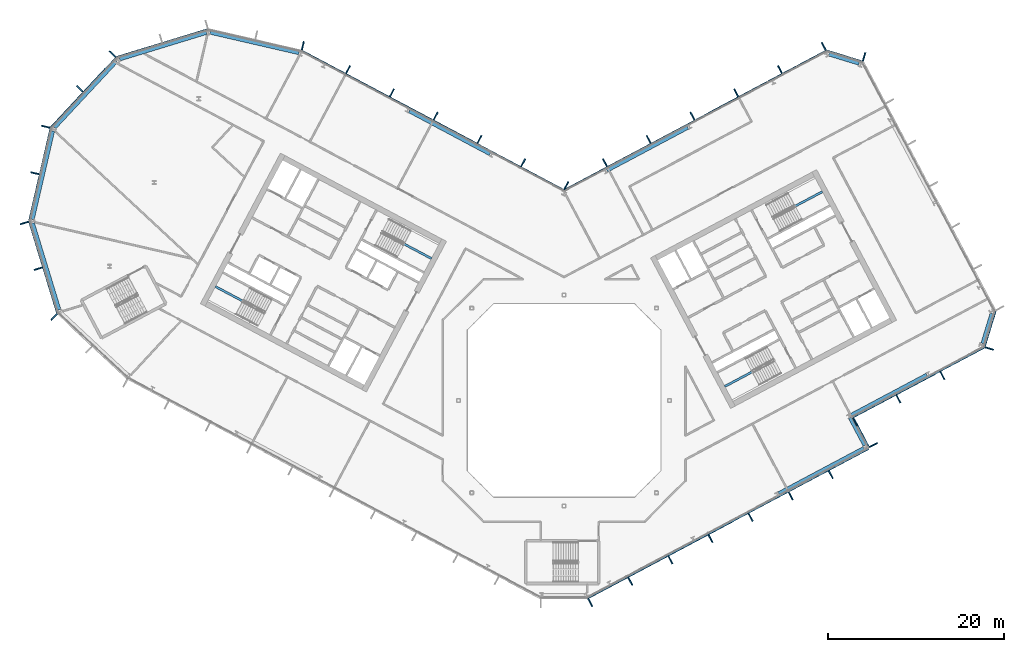
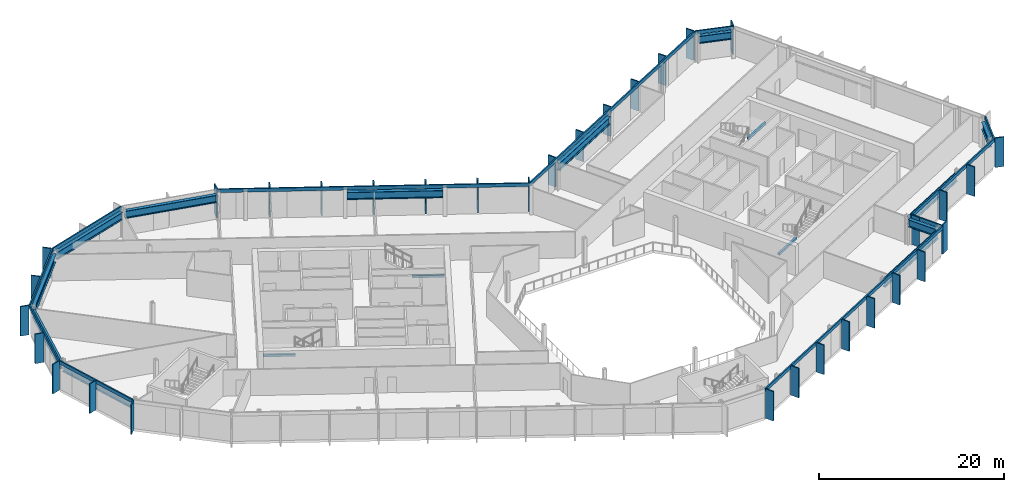
# One storey, part 9 of 26: 44 members, 16 beams, 13 elements without a shape of their own.
"""IFC4 building model written with IfcOpenShell, lengths in metres."""

from ifc_helpers import new_model, si_unit, direction, frame, origin, origin_2d, place, context, subcontext, project, spatial, rectangle, i_section, extrude, material, layer, layer_set, material_profile, profile_set, type_object, element, aggregate, save


model = new_model("IFC4")

# Units and contexts
model_context = context("Model", 3, precision=1e-05, world=origin(), true_north=direction((0.0, 1.0)))
body_context = subcontext(model_context, "Body", "Model", "MODEL_VIEW")
ifc_project = project(units=[si_unit("LENGTHUNIT", "METRE"), si_unit("AREAUNIT", "SQUARE_METRE"), si_unit("VOLUMEUNIT", "CUBIC_METRE"), si_unit("PLANEANGLEUNIT", "RADIAN"), si_unit("MASSUNIT", "GRAM", prefix="KILO")], contexts=[model_context])

# Site, building, storey
site_placement = place(None, origin())
site = spatial("IfcSite", under=ifc_project, at=site_placement, CompositionType="ELEMENT")
building_placement = place(site_placement, origin())
building = spatial("IfcBuilding", under=site, at=building_placement, Name="Cormorant Relay Tower", CompositionType="ELEMENT")
storey_placement = place(building_placement, frame((0.0, 0.0, 248.10009765625)))
storey = spatial("IfcBuildingStorey", under=building, at=storey_placement, Name="L55", CompositionType="ELEMENT", Elevation=248.10009765625)

# Curtain wall, members
ifc_material_1 = material(Name="Aluminium 6063-T6 anodised bronze", Category="aluminium")
ifc_layer = layer(ifc_material_1, 0.199951171875)
ifc_layer_set = layer_set([ifc_layer], Name="CW1 unitised bronze curtain wall with vertical fins")
curtain_wall_type = type_object("IfcCurtainWallType", Name="CW1 unitised bronze curtain wall with vertical fins", PredefinedType="NOTDEFINED", material=ifc_layer_set)
curtain_wall_1_placement = place(storey_placement, origin())
curtain_wall_1 = element("IfcCurtainWall", 1, at=curtain_wall_1_placement, inside=storey, type_object=curtain_wall_type, Name="CW1 curtain wall 2", PredefinedType="NOTDEFINED")
ifc_material_2 = material(Name="Aluminium 6063-T6 anodised bronze", Category="aluminium")
ifc_material_profile_1 = material_profile(ifc_material_2, rectangle(XDim=0.14990234375, YDim=1.0, at=origin_2d()), Name="AL 150x1000")
ifc_profile_set_1 = profile_set([ifc_material_profile_1], Name="Aluminium 6063-T6 anodised bronze")
member_type_1 = type_object("IfcMemberType", Name="CW1 bronze fin mullion 150 x 1000", PredefinedType="MULLION", material=ifc_profile_set_1)
member_1_placement = place(storey_placement, frame((2.9775390625, -22.99365234375, 0.0), z_axis=(0.0, 0.0, 1.0), x_axis=(0.882947592859, 0.469471562786, 0.0)))
member_1 = element("IfcMember", 2, at=member_1_placement, type_object=member_type_1, Name="CW1 fin 2.1", PredefinedType="MULLION", context=body_context, shape_type="SweptSolid", body=[
    extrude(rectangle(XDim=0.14990234375, YDim=1.0, at=origin_2d()), origin(), (0.0, 0.0, 1.0), 3.89990234375),
])
member_2_placement = place(storey_placement, frame((7.539306640625, -20.568115234375, 0.0), z_axis=(0.0, 0.0, 1.0), x_axis=(0.882947592859, 0.469471562786, 0.0)))
member_2 = element("IfcMember", 3, at=member_2_placement, type_object=member_type_1, Name="CW1 fin 2.2", PredefinedType="MULLION", context=body_context, shape_type="SweptSolid", body=[
    extrude(rectangle(XDim=0.14990234375, YDim=1.0, at=origin_2d()), origin(), (0.0, 0.0, 1.0), 3.89990234375),
])
member_3_placement = place(storey_placement, frame((12.10107421875, -18.142578125, 0.0), z_axis=(0.0, 0.0, 1.0), x_axis=(0.882947592859, 0.469471562786, 0.0)))
member_3 = element("IfcMember", 4, at=member_3_placement, type_object=member_type_1, Name="CW1 fin 2.3", PredefinedType="MULLION", context=body_context, shape_type="SweptSolid", body=[
    extrude(rectangle(XDim=0.14990234375, YDim=1.0, at=origin_2d()), origin(), (0.0, 0.0, 1.0), 3.89990234375),
])
member_4_placement = place(storey_placement, frame((16.662841796875, -15.717041015625, 0.0), z_axis=(0.0, 0.0, 1.0), x_axis=(0.882947592859, 0.469471562786, 0.0)))
member_4 = element("IfcMember", 5, at=member_4_placement, type_object=member_type_1, Name="CW1 fin 2.4", PredefinedType="MULLION", context=body_context, shape_type="SweptSolid", body=[
    extrude(rectangle(XDim=0.14990234375, YDim=1.0, at=origin_2d()), origin(), (0.0, 0.0, 1.0), 3.89990234375),
])
member_5_placement = place(storey_placement, frame((21.224609375, -13.29150390625, 0.0), z_axis=(0.0, 0.0, 1.0), x_axis=(0.882947592859, 0.469471562786, 0.0)))
member_5 = element("IfcMember", 6, at=member_5_placement, type_object=member_type_1, Name="CW1 fin 2.5", PredefinedType="MULLION", context=body_context, shape_type="SweptSolid", body=[
    extrude(rectangle(XDim=0.14990234375, YDim=1.0, at=origin_2d()), origin(), (0.0, 0.0, 1.0), 3.89990234375),
])
member_6_placement = place(storey_placement, frame((25.78662109375, -10.865966796875, 0.0), z_axis=(0.0, 0.0, 1.0), x_axis=(0.882947592859, 0.469471562786, 0.0)))
member_6 = element("IfcMember", 7, at=member_6_placement, type_object=member_type_1, Name="CW1 fin 2.6", PredefinedType="MULLION", context=body_context, shape_type="SweptSolid", body=[
    extrude(rectangle(XDim=0.14990234375, YDim=1.0, at=origin_2d()), origin(), (0.0, 0.0, 1.0), 3.89990234375),
])
member_7_placement = place(storey_placement, frame((30.348388671875, -8.440185546875, 0.0), z_axis=(0.0, 0.0, 1.0), x_axis=(0.882947592859, 0.469471562786, 0.0)))
member_7 = element("IfcMember", 8, at=member_7_placement, type_object=member_type_1, Name="CW1 fin 2.7", PredefinedType="MULLION", context=body_context, shape_type="SweptSolid", body=[
    extrude(rectangle(XDim=0.14990234375, YDim=1.0, at=origin_2d()), origin(), (0.0, 0.0, 1.0), 3.89990234375),
])

# Curtain wall, member
curtain_wall_2_placement = place(storey_placement, origin())
curtain_wall_2 = element("IfcCurtainWall", 9, at=curtain_wall_2_placement, inside=storey, type_object=curtain_wall_type, Name="CW1 curtain wall 3", PredefinedType="NOTDEFINED")
member_8_placement = place(storey_placement, frame((35.199462890625, -5.068115234375, 0.0), z_axis=(0.0, 0.0, 1.0), x_axis=(-0.469471562786, 0.882947592859, 0.0)))
member_8 = element("IfcMember", 10, at=member_8_placement, type_object=member_type_1, Name="CW1 fin 3.1", PredefinedType="MULLION", context=body_context, shape_type="SweptSolid", body=[
    extrude(rectangle(XDim=0.14990234375, YDim=1.0, at=origin_2d()), origin(), (0.0, 0.0, 1.0), 3.89990234375),
])

# Curtain wall, members
curtain_wall_3_placement = place(storey_placement, origin())
curtain_wall_3 = element("IfcCurtainWall", 11, at=curtain_wall_3_placement, inside=storey, type_object=curtain_wall_type, Name="CW1 curtain wall 4", PredefinedType="NOTDEFINED")
member_9_placement = place(storey_placement, frame((33.098388671875, -2.44775390625, 0.0), z_axis=(0.0, 0.0, 1.0), x_axis=(0.882947592859, 0.469471562786, 0.0)))
member_9 = element("IfcMember", 12, at=member_9_placement, type_object=member_type_1, Name="CW1 fin 4.1", PredefinedType="MULLION", context=body_context, shape_type="SweptSolid", body=[
    extrude(rectangle(XDim=0.14990234375, YDim=1.0, at=origin_2d()), origin(), (0.0, 0.0, 1.0), 3.89990234375),
])
member_10_placement = place(storey_placement, frame((38.035400390625, 0.177490234375, 0.0), z_axis=(0.0, 0.0, 1.0), x_axis=(0.882947592859, 0.469471562786, 0.0)))
member_10 = element("IfcMember", 13, at=member_10_placement, type_object=member_type_1, Name="CW1 fin 4.2", PredefinedType="MULLION", context=body_context, shape_type="SweptSolid", body=[
    extrude(rectangle(XDim=0.14990234375, YDim=1.0, at=origin_2d()), origin(), (0.0, 0.0, 1.0), 3.89990234375),
])
member_11_placement = place(storey_placement, frame((43.038818359375, 2.837646484375, 0.0), z_axis=(0.0, 0.0, 1.0), x_axis=(0.882947592859, 0.469471562786, 0.0)))
member_11 = element("IfcMember", 14, at=member_11_placement, type_object=member_type_1, Name="CW1 fin 4.3", PredefinedType="MULLION", context=body_context, shape_type="SweptSolid", body=[
    extrude(rectangle(XDim=0.14990234375, YDim=1.0, at=origin_2d()), origin(), (0.0, 0.0, 1.0), 3.89990234375),
])

# Curtain wall, member
curtain_wall_4_placement = place(storey_placement, origin())
curtain_wall_4 = element("IfcCurtainWall", 15, at=curtain_wall_4_placement, inside=storey, type_object=curtain_wall_type, Name="CW1 curtain wall 5", PredefinedType="NOTDEFINED")
member_12_placement = place(storey_placement, frame((48.383056640625, 5.91162109375, 0.0), z_axis=(0.0, 0.0, 1.0), x_axis=(0.292371704723, 0.956304755963, 0.0)))
member_12 = element("IfcMember", 16, at=member_12_placement, type_object=member_type_1, Name="CW1 fin 5.1", PredefinedType="MULLION", context=body_context, shape_type="SweptSolid", body=[
    extrude(rectangle(XDim=0.14990234375, YDim=1.0, at=origin_2d()), origin(), (0.0, 0.0, 1.0), 3.89990234375),
])

curtain_wall_5_placement = place(storey_placement, origin())
curtain_wall_5 = element("IfcCurtainWall", 17, at=curtain_wall_5_placement, inside=storey, type_object=curtain_wall_type, Name="CW1 curtain wall 7", PredefinedType="NOTDEFINED")
member_13_placement = place(storey_placement, frame((34.1357421875, 39.09716796875, 0.0), z_axis=(0.0, 0.0, 1.0), x_axis=(-0.956304755963, 0.292371704723, 0.0)))
member_13 = element("IfcMember", 18, at=member_13_placement, type_object=member_type_1, Name="CW1 fin 7.1", PredefinedType="MULLION", context=body_context, shape_type="SweptSolid", body=[
    extrude(rectangle(XDim=0.14990234375, YDim=1.0, at=origin_2d()), origin(), (0.0, 0.0, 1.0), 3.89990234375),
])

# Curtain wall, members
curtain_wall_6_placement = place(storey_placement, origin())
curtain_wall_6 = element("IfcCurtainWall", 19, at=curtain_wall_6_placement, inside=storey, type_object=curtain_wall_type, Name="CW1 curtain wall 8", PredefinedType="NOTDEFINED")
member_14_placement = place(storey_placement, frame((29.545166015625, 40.2861328125, 0.0), z_axis=(0.0, 0.0, 1.0), x_axis=(-0.882947592859, -0.469471562786, 0.0)))
member_14 = element("IfcMember", 20, at=member_14_placement, type_object=member_type_1, Name="CW1 fin 8.1", PredefinedType="MULLION", context=body_context, shape_type="SweptSolid", body=[
    extrude(rectangle(XDim=0.14990234375, YDim=1.0, at=origin_2d()), origin(), (0.0, 0.0, 1.0), 3.89990234375),
])
member_15_placement = place(storey_placement, frame((24.566162109375, 37.638916015625, 0.0), z_axis=(0.0, 0.0, 1.0), x_axis=(-0.882947592859, -0.469471562786, 0.0)))
member_15 = element("IfcMember", 21, at=member_15_placement, type_object=member_type_1, Name="CW1 fin 8.2", PredefinedType="MULLION", context=body_context, shape_type="SweptSolid", body=[
    extrude(rectangle(XDim=0.14990234375, YDim=1.0, at=origin_2d()), origin(), (0.0, 0.0, 1.0), 3.89990234375),
])
member_16_placement = place(storey_placement, frame((19.587158203125, 34.991455078125, 0.0), z_axis=(0.0, 0.0, 1.0), x_axis=(-0.882947592859, -0.469471562786, 0.0)))
member_16 = element("IfcMember", 22, at=member_16_placement, type_object=member_type_1, Name="CW1 fin 8.3", PredefinedType="MULLION", context=body_context, shape_type="SweptSolid", body=[
    extrude(rectangle(XDim=0.14990234375, YDim=1.0, at=origin_2d()), origin(), (0.0, 0.0, 1.0), 3.89990234375),
])
member_17_placement = place(storey_placement, frame((14.608154296875, 32.343994140625, 0.0), z_axis=(0.0, 0.0, 1.0), x_axis=(-0.882947592859, -0.469471562786, 0.0)))
member_17 = element("IfcMember", 23, at=member_17_placement, type_object=member_type_1, Name="CW1 fin 8.4", PredefinedType="MULLION", context=body_context, shape_type="SweptSolid", body=[
    extrude(rectangle(XDim=0.14990234375, YDim=1.0, at=origin_2d()), origin(), (0.0, 0.0, 1.0), 3.89990234375),
])
member_18_placement = place(storey_placement, frame((9.62939453125, 29.69677734375, 0.0), z_axis=(0.0, 0.0, 1.0), x_axis=(-0.882947592859, -0.469471562786, 0.0)))
member_18 = element("IfcMember", 24, at=member_18_placement, type_object=member_type_1, Name="CW1 fin 8.5", PredefinedType="MULLION", context=body_context, shape_type="SweptSolid", body=[
    extrude(rectangle(XDim=0.14990234375, YDim=1.0, at=origin_2d()), origin(), (0.0, 0.0, 1.0), 3.89990234375),
])
member_19_placement = place(storey_placement, frame((4.650390625, 27.04931640625, 0.0), z_axis=(0.0, 0.0, 1.0), x_axis=(-0.882947592859, -0.469471562786, 0.0)))
member_19 = element("IfcMember", 25, at=member_19_placement, type_object=member_type_1, Name="CW1 fin 8.6", PredefinedType="MULLION", context=body_context, shape_type="SweptSolid", body=[
    extrude(rectangle(XDim=0.14990234375, YDim=1.0, at=origin_2d()), origin(), (0.0, 0.0, 1.0), 3.89990234375),
])

curtain_wall_7_placement = place(storey_placement, origin())
curtain_wall_7 = element("IfcCurtainWall", 26, at=curtain_wall_7_placement, inside=storey, type_object=curtain_wall_type, Name="CW1 curtain wall 9", PredefinedType="NOTDEFINED")
member_20_placement = place(storey_placement, frame((0.262451171875, 24.437255859375, 0.0), z_axis=(0.0, 0.0, 1.0), x_axis=(-0.882947592859, 0.469471562786, 0.0)))
member_20 = element("IfcMember", 27, at=member_20_placement, type_object=member_type_1, Name="CW1 fin 9.1", PredefinedType="MULLION", context=body_context, shape_type="SweptSolid", body=[
    extrude(rectangle(XDim=0.14990234375, YDim=1.0, at=origin_2d()), origin(), (0.0, 0.0, 1.0), 3.89990234375),
])
member_21_placement = place(storey_placement, frame((-4.650390625, 27.04931640625, 0.0), z_axis=(0.0, 0.0, 1.0), x_axis=(-0.882947592859, 0.469471562786, 0.0)))
member_21 = element("IfcMember", 28, at=member_21_placement, type_object=member_type_1, Name="CW1 fin 9.2", PredefinedType="MULLION", context=body_context, shape_type="SweptSolid", body=[
    extrude(rectangle(XDim=0.14990234375, YDim=1.0, at=origin_2d()), origin(), (0.0, 0.0, 1.0), 3.89990234375),
])
member_22_placement = place(storey_placement, frame((-9.62939453125, 29.69677734375, 0.0), z_axis=(0.0, 0.0, 1.0), x_axis=(-0.882947592859, 0.469471562786, 0.0)))
member_22 = element("IfcMember", 29, at=member_22_placement, type_object=member_type_1, Name="CW1 fin 9.3", PredefinedType="MULLION", context=body_context, shape_type="SweptSolid", body=[
    extrude(rectangle(XDim=0.14990234375, YDim=1.0, at=origin_2d()), origin(), (0.0, 0.0, 1.0), 3.89990234375),
])
member_23_placement = place(storey_placement, frame((-14.608154296875, 32.343994140625, 0.0), z_axis=(0.0, 0.0, 1.0), x_axis=(-0.882947592859, 0.469471562786, 0.0)))
member_23 = element("IfcMember", 30, at=member_23_placement, type_object=member_type_1, Name="CW1 fin 9.4", PredefinedType="MULLION", context=body_context, shape_type="SweptSolid", body=[
    extrude(rectangle(XDim=0.14990234375, YDim=1.0, at=origin_2d()), origin(), (0.0, 0.0, 1.0), 3.89990234375),
])
member_24_placement = place(storey_placement, frame((-19.587158203125, 34.991455078125, 0.0), z_axis=(0.0, 0.0, 1.0), x_axis=(-0.882947592859, 0.469471562786, 0.0)))
member_24 = element("IfcMember", 31, at=member_24_placement, type_object=member_type_1, Name="CW1 fin 9.5", PredefinedType="MULLION", context=body_context, shape_type="SweptSolid", body=[
    extrude(rectangle(XDim=0.14990234375, YDim=1.0, at=origin_2d()), origin(), (0.0, 0.0, 1.0), 3.89990234375),
])
member_25_placement = place(storey_placement, frame((-24.566162109375, 37.638916015625, 0.0), z_axis=(0.0, 0.0, 1.0), x_axis=(-0.882947592859, 0.469471562786, 0.0)))
member_25 = element("IfcMember", 32, at=member_25_placement, type_object=member_type_1, Name="CW1 fin 9.6", PredefinedType="MULLION", context=body_context, shape_type="SweptSolid", body=[
    extrude(rectangle(XDim=0.14990234375, YDim=1.0, at=origin_2d()), origin(), (0.0, 0.0, 1.0), 3.89990234375),
])

# Curtain wall, member
curtain_wall_8_placement = place(storey_placement, origin())
curtain_wall_8 = element("IfcCurtainWall", 33, at=curtain_wall_8_placement, inside=storey, type_object=curtain_wall_type, Name="CW1 curtain wall 10", PredefinedType="NOTDEFINED")
member_26_placement = place(storey_placement, frame((-29.71630859375, 40.35009765625, 0.0), z_axis=(0.0, 0.0, 1.0), x_axis=(-0.974370064785, 0.224951054344, 0.0)))
member_26 = element("IfcMember", 34, at=member_26_placement, type_object=member_type_1, Name="CW1 fin 10.1", PredefinedType="MULLION", context=body_context, shape_type="SweptSolid", body=[
    extrude(rectangle(XDim=0.14990234375, YDim=1.0, at=origin_2d()), origin(), (0.0, 0.0, 1.0), 3.89990234375),
])
aggregate(curtain_wall_8, [member_26])

# Curtain wall, members
curtain_wall_9_placement = place(storey_placement, origin())
curtain_wall_9 = element("IfcCurtainWall", 35, at=curtain_wall_9_placement, inside=storey, type_object=curtain_wall_type, Name="CW1 curtain wall 12", PredefinedType="NOTDEFINED")
member_27_placement = place(storey_placement, frame((-51.372802734375, 39.41259765625, 0.0), z_axis=(0.0, 0.0, 1.0), x_axis=(-0.681998360062, -0.731353701619, 0.0)))
member_27 = element("IfcMember", 36, at=member_27_placement, type_object=member_type_1, Name="CW1 fin 12.1", PredefinedType="MULLION", context=body_context, shape_type="SweptSolid", body=[
    extrude(rectangle(XDim=0.14990234375, YDim=1.0, at=origin_2d()), origin(), (0.0, 0.0, 1.0), 3.89990234375),
])
member_28_placement = place(storey_placement, frame((-55.07958984375, 35.4375, 0.0), z_axis=(0.0, 0.0, 1.0), x_axis=(-0.681998360062, -0.731353701619, 0.0)))
member_28 = element("IfcMember", 37, at=member_28_placement, type_object=member_type_1, Name="CW1 fin 12.2", PredefinedType="MULLION", context=body_context, shape_type="SweptSolid", body=[
    extrude(rectangle(XDim=0.14990234375, YDim=1.0, at=origin_2d()), origin(), (0.0, 0.0, 1.0), 3.89990234375),
])

curtain_wall_10_placement = place(storey_placement, origin())
curtain_wall_10 = element("IfcCurtainWall", 38, at=curtain_wall_10_placement, inside=storey, type_object=curtain_wall_type, Name="CW1 curtain wall 13", PredefinedType="NOTDEFINED")
member_29_placement = place(storey_placement, frame((-58.95654296875, 31.142578125, 0.0), z_axis=(0.0, 0.0, 1.0), x_axis=(-0.224951054344, -0.974370064785, 0.0)))
member_29 = element("IfcMember", 39, at=member_29_placement, type_object=member_type_1, Name="CW1 fin 13.1", PredefinedType="MULLION", context=body_context, shape_type="SweptSolid", body=[
    extrude(rectangle(XDim=0.14990234375, YDim=1.0, at=origin_2d()), origin(), (0.0, 0.0, 1.0), 3.89990234375),
])
member_30_placement = place(storey_placement, frame((-60.17919921875, 25.8466796875, 0.0), z_axis=(0.0, 0.0, 1.0), x_axis=(-0.224951054344, -0.974370064785, 0.0)))
member_30 = element("IfcMember", 40, at=member_30_placement, type_object=member_type_1, Name="CW1 fin 13.2", PredefinedType="MULLION", context=body_context, shape_type="SweptSolid", body=[
    extrude(rectangle(XDim=0.14990234375, YDim=1.0, at=origin_2d()), origin(), (0.0, 0.0, 1.0), 3.89990234375),
])

curtain_wall_11_placement = place(storey_placement, origin())
curtain_wall_11 = element("IfcCurtainWall", 41, at=curtain_wall_11_placement, inside=storey, type_object=curtain_wall_type, Name="CW1 curtain wall 14", PredefinedType="NOTDEFINED")
member_31_placement = place(storey_placement, frame((-61.389404296875, 20.188720703125, 0.0), z_axis=(0.0, 0.0, 1.0), x_axis=(0.292371704723, -0.956304755963, 0.0)))
member_31 = element("IfcMember", 42, at=member_31_placement, type_object=member_type_1, Name="CW1 fin 14.1", PredefinedType="MULLION", context=body_context, shape_type="SweptSolid", body=[
    extrude(rectangle(XDim=0.14990234375, YDim=1.0, at=origin_2d()), origin(), (0.0, 0.0, 1.0), 3.89990234375),
])
member_32_placement = place(storey_placement, frame((-59.80029296875, 14.990966796875, 0.0), z_axis=(0.0, 0.0, 1.0), x_axis=(0.292371704723, -0.956304755963, 0.0)))
member_32 = element("IfcMember", 43, at=member_32_placement, type_object=member_type_1, Name="CW1 fin 14.2", PredefinedType="MULLION", context=body_context, shape_type="SweptSolid", body=[
    extrude(rectangle(XDim=0.14990234375, YDim=1.0, at=origin_2d()), origin(), (0.0, 0.0, 1.0), 3.89990234375),
])

# Curtain wall, member
curtain_wall_12_placement = place(storey_placement, origin())
curtain_wall_12 = element("IfcCurtainWall", 44, at=curtain_wall_12_placement, inside=storey, type_object=curtain_wall_type, Name="CW1 curtain wall 15", PredefinedType="NOTDEFINED")
member_33_placement = place(storey_placement, frame((-58.01904296875, 9.486083984375, 0.0), z_axis=(0.0, 0.0, 1.0), x_axis=(0.731353701619, -0.681998360062, 0.0)))
member_33 = element("IfcMember", 45, at=member_33_placement, type_object=member_type_1, Name="CW1 fin 15.1", PredefinedType="MULLION", context=body_context, shape_type="SweptSolid", body=[
    extrude(rectangle(XDim=0.14990234375, YDim=1.0, at=origin_2d()), origin(), (0.0, 0.0, 1.0), 3.89990234375),
])
aggregate(curtain_wall_12, [member_33])

# Member
ifc_material_3 = material(Name="Aluminium 6063-T6 anodised bronze", Category="aluminium")
ifc_material_profile_2 = material_profile(ifc_material_3, rectangle(XDim=0.159912109375, YDim=0.449951171875, at=origin_2d()), Name="AL 160x450")
ifc_profile_set_2 = profile_set([ifc_material_profile_2], Name="Aluminium 6063-T6 anodised bronze")
member_type_2 = type_object("IfcMemberType", Name="CW1 bronze transom 160 x 450", PredefinedType="USERDEFINED", material=ifc_profile_set_2)
member_34_placement = place(storey_placement, frame((2.705078125, -22.4814453125, 3.6748046875), z_axis=(0.882948899141, 0.469469106018, 0.0), x_axis=(-0.469469106018, 0.882948899141, 0.0)))
member_34 = element("IfcMember", 46, at=member_34_placement, type_object=member_type_2, Name="CW1 transom 2", ObjectType="TRANSOM", PredefinedType="USERDEFINED", context=body_context, shape_type="SweptSolid", body=[
    extrude(rectangle(XDim=0.159912109375, YDim=0.449951171875, at=origin_2d()), origin(), (0.0, 0.0, 1.0), 36.165771484375),
])

aggregate(curtain_wall_1, [member_1, member_2, member_3, member_4, member_5, member_6, member_7, member_34])

member_35_placement = place(storey_placement, frame((34.6875, -5.34033203125, 3.6748046875), z_axis=(-0.469485426614, 0.882940221191, 0.0), x_axis=(-0.882940221191, -0.469485426614, 0.0)))
member_35 = element("IfcMember", 47, at=member_35_placement, type_object=member_type_2, Name="CW1 transom 3", ObjectType="TRANSOM", PredefinedType="USERDEFINED", context=body_context, shape_type="SweptSolid", body=[
    extrude(rectangle(XDim=0.159912109375, YDim=0.449951171875, at=origin_2d()), origin(), (0.0, 0.0, 1.0), 4.0),
])

aggregate(curtain_wall_2, [member_8, member_35])

member_36_placement = place(storey_placement, frame((32.760009765625, -1.970947265625, 3.6748046875), z_axis=(0.882941803911, 0.469482450052, 0.0), x_axis=(-0.469482450052, 0.882941803911, 0.0)))
member_36 = element("IfcMember", 48, at=member_36_placement, type_object=member_type_2, Name="CW1 transom 4", ObjectType="TRANSOM", PredefinedType="USERDEFINED", context=body_context, shape_type="SweptSolid", body=[
    extrude(rectangle(XDim=0.159912109375, YDim=0.449951171875, at=origin_2d()), origin(), (0.0, 0.0, 1.0), 17.0),
])

aggregate(curtain_wall_3, [member_9, member_10, member_11, member_36])

member_37_placement = place(storey_placement, frame((47.828369140625, 6.0810546875, 3.6748046875), z_axis=(0.292391046905, 0.95629884225, 0.0), x_axis=(-0.95629884225, 0.292391046905, 0.0)))
member_37 = element("IfcMember", 49, at=member_37_placement, type_object=member_type_2, Name="CW1 transom 5", ObjectType="TRANSOM", PredefinedType="USERDEFINED", context=body_context, shape_type="SweptSolid", body=[
    extrude(rectangle(XDim=0.159912109375, YDim=0.449951171875, at=origin_2d()), origin(), (0.0, 0.0, 1.0), 4.242431640625),
])

aggregate(curtain_wall_4, [member_12, member_37])

member_38_placement = place(storey_placement, frame((33.966064453125, 38.54248046875, 3.6748046875), z_axis=(-0.956303761594, 0.292374957137, 0.0), x_axis=(-0.292374957137, -0.956303761594, 0.0)))
member_38 = element("IfcMember", 50, at=member_38_placement, type_object=member_type_2, Name="CW1 transom 7", ObjectType="TRANSOM", PredefinedType="USERDEFINED", context=body_context, shape_type="SweptSolid", body=[
    extrude(rectangle(XDim=0.159912109375, YDim=0.449951171875, at=origin_2d()), origin(), (0.0, 0.0, 1.0), 4.24267578125),
])

aggregate(curtain_wall_5, [member_13, member_38])

member_39_placement = place(storey_placement, frame((29.8173828125, 39.774169921875, 3.6748046875), z_axis=(-0.882946280328, -0.46947403129, 0.0), x_axis=(0.46947403129, -0.882946280328, 0.0)))
member_39 = element("IfcMember", 51, at=member_39_placement, type_object=member_type_2, Name="CW1 transom 8", ObjectType="TRANSOM", PredefinedType="USERDEFINED", context=body_context, shape_type="SweptSolid", body=[
    extrude(rectangle(XDim=0.159912109375, YDim=0.449951171875, at=origin_2d()), origin(), (0.0, 0.0, 1.0), 33.834228515625),
])

aggregate(curtain_wall_6, [member_14, member_15, member_16, member_17, member_18, member_19, member_39])

member_40_placement = place(storey_placement, frame((0.056396484375, 23.889892578125, 3.6748046875), z_axis=(-0.882946280328, 0.46947403129, 0.0), x_axis=(-0.46947403129, -0.882946280328, 0.0)))
member_40 = element("IfcMember", 52, at=member_40_placement, type_object=member_type_2, Name="CW1 transom 9", ObjectType="TRANSOM", PredefinedType="USERDEFINED", context=body_context, shape_type="SweptSolid", body=[
    extrude(rectangle(XDim=0.159912109375, YDim=0.449951171875, at=origin_2d()), origin(), (0.0, 0.0, 1.0), 33.834228515625),
])

aggregate(curtain_wall_7, [member_20, member_21, member_22, member_23, member_24, member_25, member_40])

# Curtain wall, member
curtain_wall_13_placement = place(storey_placement, origin())
curtain_wall_13 = element("IfcCurtainWall", 53, at=curtain_wall_13_placement, inside=storey, type_object=curtain_wall_type, Name="CW1 curtain wall 11", PredefinedType="NOTDEFINED")
member_41_placement = place(storey_placement, frame((-40.50048828125, 42.228271484375, 3.6748046875), z_axis=(-0.956304833932, -0.292371449698, 0.0), x_axis=(0.292371449698, -0.956304833932, 0.0)))
member_41 = element("IfcMember", 54, at=member_41_placement, type_object=member_type_2, Name="CW1 transom 11", ObjectType="TRANSOM", PredefinedType="USERDEFINED", context=body_context, shape_type="SweptSolid", body=[
    extrude(rectangle(XDim=0.159912109375, YDim=0.449951171875, at=origin_2d()), origin(), (0.0, 0.0, 1.0), 10.87060546875),
])
aggregate(curtain_wall_13, [member_41])

# Member
member_42_placement = place(storey_placement, frame((-50.94873046875, 39.01708984375, 3.6748046875), z_axis=(-0.681993299437, -0.731358420696, 0.0), x_axis=(0.731358420696, -0.681993299437, 0.0)))
member_42 = element("IfcMember", 55, at=member_42_placement, type_object=member_type_2, Name="CW1 transom 12", ObjectType="TRANSOM", PredefinedType="USERDEFINED", context=body_context, shape_type="SweptSolid", body=[
    extrude(rectangle(XDim=0.159912109375, YDim=0.449951171875, at=origin_2d()), origin(), (0.0, 0.0, 1.0), 10.870361328125),
])

aggregate(curtain_wall_9, [member_27, member_28, member_42])

member_43_placement = place(storey_placement, frame((-58.3916015625, 31.01220703125, 3.6748046875), z_axis=(-0.22495136131, -0.974369993916, 0.0), x_axis=(0.974369993916, -0.22495136131, 0.0)))
member_43 = element("IfcMember", 56, at=member_43_placement, type_object=member_type_2, Name="CW1 transom 13", ObjectType="TRANSOM", PredefinedType="USERDEFINED", context=body_context, shape_type="SweptSolid", body=[
    extrude(rectangle(XDim=0.159912109375, YDim=0.449951171875, at=origin_2d()), origin(), (0.0, 0.0, 1.0), 10.870361328125),
])

aggregate(curtain_wall_10, [member_29, member_30, member_43])

member_44_placement = place(storey_placement, frame((-60.834716796875, 20.358154296875, 3.6748046875), z_axis=(0.292377729282, -0.95630291405, 0.0), x_axis=(0.95630291405, 0.292377729282, 0.0)))
member_44 = element("IfcMember", 57, at=member_44_placement, type_object=member_type_2, Name="CW1 transom 14", ObjectType="TRANSOM", PredefinedType="USERDEFINED", context=body_context, shape_type="SweptSolid", body=[
    extrude(rectangle(XDim=0.159912109375, YDim=0.449951171875, at=origin_2d()), origin(), (0.0, 0.0, 1.0), 10.870361328125),
])

aggregate(curtain_wall_11, [member_31, member_32, member_44])

# Beams
ifc_material_4 = material(Name="Steel ASTM A992 (Fy 345 MPa)", Category="steel")
ifc_material_profile_3 = material_profile(ifc_material_4, i_section(OverallWidth=0.4013671875, OverallDepth=0.990478515625, WebThickness=0.0166015625, FlangeThickness=0.031005859375, FilletRadius=0.030029296875, at=origin_2d()), Name="W1000x320")
ifc_profile_set_3 = profile_set([ifc_material_profile_3], Name="Steel ASTM A992 (Fy 345 MPa)")
beam_type_1 = type_object("IfcBeamType", Name="Spandrel W1000x320", PredefinedType="SPANDREL", material=ifc_profile_set_3)
beam_1_placement = place(storey_placement, frame((24.423583984375, -10.5703125, 2.95458984375), z_axis=(0.882952735253, 0.469461891221, 0.0), x_axis=(-0.469461891221, 0.882952735253, 0.0)))
element("IfcBeam", 58, at=beam_1_placement, inside=storey, type_object=beam_type_1, Name="Spandrel beam L55-002", PredefinedType="SPANDREL", context=body_context, shape_type="SweptSolid", body=[
    extrude(i_section(OverallWidth=0.4013671875, OverallDepth=0.990478515625, WebThickness=0.0166015625, FlangeThickness=0.031005859375, FilletRadius=0.030029296875, at=origin_2d()), origin(), (0.0, 0.0, 1.0), 10.96142578125),
])
beam_2_placement = place(storey_placement, frame((34.20458984375, -5.115478515625, 2.95458984375), z_axis=(-0.469423552529, 0.882973118691, 0.0), x_axis=(-0.882973118691, -0.469423552529, 0.0)))
element("IfcBeam", 59, at=beam_2_placement, inside=storey, type_object=beam_type_1, Name="Spandrel beam L55-003", PredefinedType="SPANDREL", context=body_context, shape_type="SweptSolid", body=[
    extrude(i_section(OverallWidth=0.4013671875, OverallDepth=0.990478515625, WebThickness=0.0166015625, FlangeThickness=0.031005859375, FilletRadius=0.030029296875, at=origin_2d()), origin(), (0.0, 0.0, 1.0), 3.56982421875),
])
beam_3_placement = place(storey_placement, frame((32.609375, -1.687744140625, 2.95458984375), z_axis=(0.882948215634, 0.469470391515, 0.0), x_axis=(-0.469470391515, 0.882948215634, 0.0)))
element("IfcBeam", 60, at=beam_3_placement, inside=storey, type_object=beam_type_1, Name="Spandrel beam L55-004", PredefinedType="SPANDREL", context=body_context, shape_type="SweptSolid", body=[
    extrude(i_section(OverallWidth=0.4013671875, OverallDepth=0.990478515625, WebThickness=0.0166015625, FlangeThickness=0.031005859375, FilletRadius=0.030029296875, at=origin_2d()), origin(), (0.0, 0.0, 1.0), 9.79736328125),
])
for number, where, z_axis, x_axis, name in (
    (61, (47.618896484375, 6.4921875, 2.95458984375), (0.292349563537, 0.956311524923, 0.0), (-0.956311524923, 0.292349563537, 0.0), "Spandrel beam L55-005"),
    (62, (33.5546875, 38.3330078125, 2.95458984375), (-0.956311524923, 0.292349563537, 0.0), (-0.292349563537, -0.956311524923, 0.0), "Spandrel beam L55-007"),
):
    element("IfcBeam", number, at=place(storey_placement, frame(where, z_axis=z_axis, x_axis=x_axis)), inside=storey, type_object=beam_type_1, Name=name, PredefinedType="SPANDREL", context=body_context, shape_type="SweptSolid", body=[
        extrude(i_section(OverallWidth=0.4013671875, OverallDepth=0.990478515625, WebThickness=0.0166015625, FlangeThickness=0.031005859375, FilletRadius=0.030029296875, at=origin_2d()), origin(), (0.0, 0.0, 1.0), 3.59765625),
    ])
for number, where, z_axis, x_axis, name in (
    (63, (14.0732421875, 31.03955078125, 2.95458984375), (-0.882949648898, -0.469467695918, 0.0), (0.469467695918, -0.882949648898, 0.0), "Spandrel beam L55-008"),
    (64, (-8.426025390625, 28.036865234375, 2.95458984375), (-0.882949648898, 0.469467695918, 0.0), (-0.469467695918, -0.882949648898, 0.0), "Spandrel beam L55-009"),
):
    element("IfcBeam", number, at=place(storey_placement, frame(where, z_axis=z_axis, x_axis=x_axis)), inside=storey, type_object=beam_type_1, Name=name, PredefinedType="SPANDREL", context=body_context, shape_type="SweptSolid", body=[
        extrude(i_section(OverallWidth=0.4013671875, OverallDepth=0.990478515625, WebThickness=0.0166015625, FlangeThickness=0.031005859375, FilletRadius=0.030029296875, at=origin_2d()), origin(), (0.0, 0.0, 1.0), 10.39599609375),
    ])
beam_4_placement = place(storey_placement, frame((-30.1533203125, 39.526611328125, 2.95458984375), z_axis=(-0.97436619016, 0.22496783653, 0.0), x_axis=(-0.22496783653, -0.97436619016, 0.0)))
element("IfcBeam", 65, at=beam_4_placement, inside=storey, type_object=beam_type_1, Name="Spandrel beam L55-010", PredefinedType="SPANDREL", context=body_context, shape_type="SweptSolid", body=[
    extrude(i_section(OverallWidth=0.4013671875, OverallDepth=0.990478515625, WebThickness=0.0166015625, FlangeThickness=0.031005859375, FilletRadius=0.030029296875, at=origin_2d()), origin(), (0.0, 0.0, 1.0), 10.369384765625),
])
beam_5_placement = place(storey_placement, frame((-40.680419921875, 41.837890625, 2.95458984375), z_axis=(-0.956303094801, -0.292377138084, 0.0), x_axis=(0.292377138084, -0.956303094801, 0.0)))
element("IfcBeam", 66, at=beam_5_placement, inside=storey, type_object=beam_type_1, Name="Spandrel beam L55-011", PredefinedType="SPANDREL", context=body_context, shape_type="SweptSolid", body=[
    extrude(i_section(OverallWidth=0.4013671875, OverallDepth=0.990478515625, WebThickness=0.0166015625, FlangeThickness=0.031005859375, FilletRadius=0.030029296875, at=origin_2d()), origin(), (0.0, 0.0, 1.0), 10.32421875),
])
beam_6_placement = place(storey_placement, frame((-50.90966796875, 38.5888671875, 2.95458984375), z_axis=(-0.681996285296, -0.731355636365, 0.0), x_axis=(0.731355636365, -0.681996285296, 0.0)))
element("IfcBeam", 67, at=beam_6_placement, inside=storey, type_object=beam_type_1, Name="Spandrel beam L55-012", PredefinedType="SPANDREL", context=body_context, shape_type="SweptSolid", body=[
    extrude(i_section(OverallWidth=0.4013671875, OverallDepth=0.990478515625, WebThickness=0.0166015625, FlangeThickness=0.031005859375, FilletRadius=0.030029296875, at=origin_2d()), origin(), (0.0, 0.0, 1.0), 10.32275390625),
])
beam_7_placement = place(storey_placement, frame((-58.143310546875, 30.66162109375, 2.95458984375), z_axis=(-0.224957947919, -0.974368473252, 0.0), x_axis=(0.974368473252, -0.224957947919, 0.0)))
element("IfcBeam", 68, at=beam_7_placement, inside=storey, type_object=beam_type_1, Name="Spandrel beam L55-013", PredefinedType="SPANDREL", context=body_context, shape_type="SweptSolid", body=[
    extrude(i_section(OverallWidth=0.4013671875, OverallDepth=0.990478515625, WebThickness=0.0166015625, FlangeThickness=0.031005859375, FilletRadius=0.030029296875, at=origin_2d()), origin(), (0.0, 0.0, 1.0), 10.32421875),
])
beam_8_placement = place(storey_placement, frame((-60.4443359375, 20.178466796875, 2.95458984375), z_axis=(0.29236873538, -0.956305663777, 0.0), x_axis=(0.956305663777, 0.29236873538, 0.0)))
element("IfcBeam", 69, at=beam_8_placement, inside=storey, type_object=beam_type_1, Name="Spandrel beam L55-014", PredefinedType="SPANDREL", context=body_context, shape_type="SweptSolid", body=[
    extrude(i_section(OverallWidth=0.4013671875, OverallDepth=0.990478515625, WebThickness=0.0166015625, FlangeThickness=0.031005859375, FilletRadius=0.030029296875, at=origin_2d()), origin(), (0.0, 0.0, 1.0), 10.32373046875),
])
ifc_material_5 = material(Name="Concrete 50 MPa", Category="concrete")
ifc_material_profile_4 = material_profile(ifc_material_5, rectangle(XDim=0.25, YDim=0.300048828125, at=origin_2d()), Name="RC 250x300")
ifc_profile_set_4 = profile_set([ifc_material_profile_4], Name="Concrete 50 MPa")
beam_type_2 = type_object("IfcBeamType", Name="Stair landing ledge beam 250x300", PredefinedType="BEAM", material=ifc_profile_set_4)
beam_9_placement = place(storey_placement, frame((-18.219482421875, 17.813720703125, 1.599853515625), z_axis=(0.882950035608, -0.469466968614, 0.0), x_axis=(0.469466968614, 0.882950035608, 0.0)))
element("IfcBeam", 70, at=beam_9_placement, inside=storey, type_object=beam_type_2, Name="A1 landing ledge beam", PredefinedType="BEAM", context=body_context, shape_type="SweptSolid", body=[
    extrude(rectangle(XDim=0.25, YDim=0.300048828125, at=origin_2d()), origin(), (0.0, 0.0, 1.0), 3.5498046875),
])
for number, where, z_axis, x_axis, name in (
    (71, (-36.523193359375, 11.29345703125, 1.599853515625), (-0.88293668587, 0.469492075273, 0.0), (-0.469492075273, -0.88293668587, 0.0), "A2 landing ledge beam"),
    (72, (21.4248046875, 3.265380859375, 1.599853515625), (-0.88296519247, -0.469438461235, 0.0), (0.469438461235, -0.88296519247, 0.0), "B1 landing ledge beam"),
    (73, (26.25439453125, 22.0859375, 1.599853515625), (0.88296519247, 0.469438461235, 0.0), (-0.469438461235, 0.88296519247, 0.0), "B2 landing ledge beam"),
):
    element("IfcBeam", number, at=place(storey_placement, frame(where, z_axis=z_axis, x_axis=x_axis)), inside=storey, type_object=beam_type_2, Name=name, PredefinedType="BEAM", context=body_context, shape_type="SweptSolid", body=[
        extrude(rectangle(XDim=0.25, YDim=0.300048828125, at=origin_2d()), origin(), (0.0, 0.0, 1.0), 3.550048828125),
    ])

save(model, "model.ifc")
